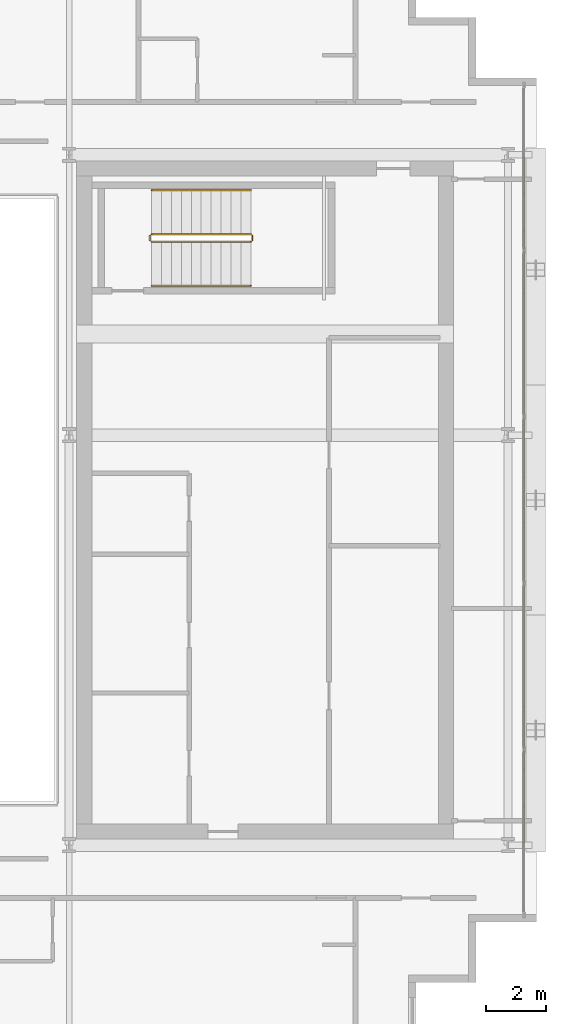
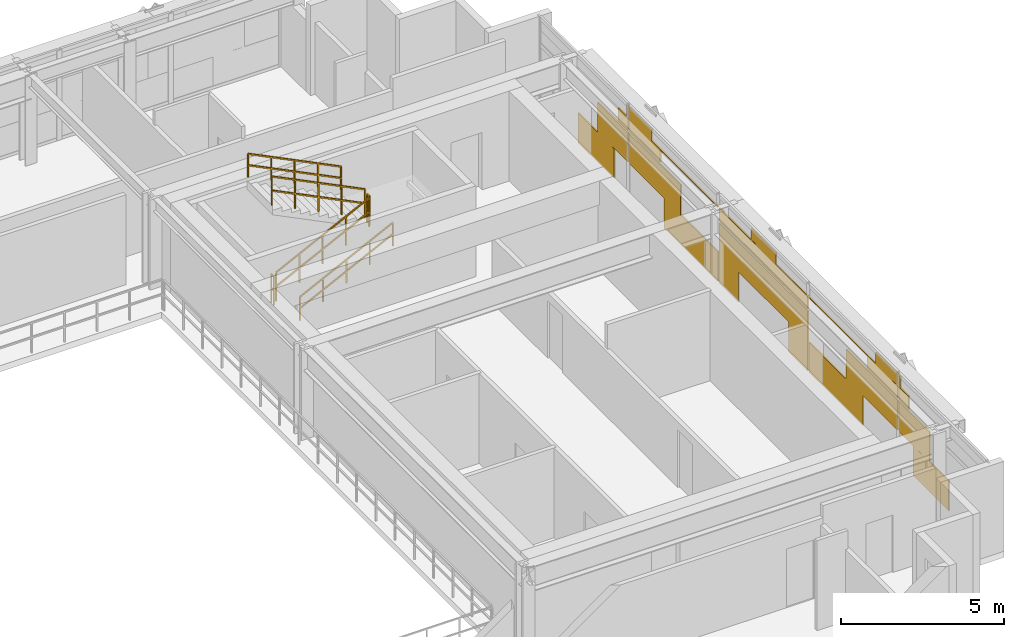
# One storey, part 29 of 30: 6 railings, 1 covering.
"""IFC4 building model written with IfcOpenShell, lengths in metres."""

from ifc_helpers import new_model, si_unit, direction, frame, origin, origin_2d, place, context, subcontext, project, spatial, rectangle, extrude, material, layer, layer_set, type_object, element, save


model = new_model("IFC4")

# Units and contexts
model_context = context("Model", 3, precision=1e-05, world=origin(), true_north=direction((0.0, 1.0)))
body_context = subcontext(model_context, "Body", "Model", "MODEL_VIEW")
ifc_project = project(units=[si_unit("LENGTHUNIT", "METRE"), si_unit("AREAUNIT", "SQUARE_METRE"), si_unit("VOLUMEUNIT", "CUBIC_METRE"), si_unit("PLANEANGLEUNIT", "RADIAN"), si_unit("MASSUNIT", "GRAM", prefix="KILO")], contexts=[model_context])

# Site, building, storey
site_placement = place(None, origin())
site = spatial("IfcSite", under=ifc_project, at=site_placement, CompositionType="ELEMENT")
building_placement = place(site_placement, origin())
building = spatial("IfcBuilding", under=site, at=building_placement, Name="Ocotamira Hotel", CompositionType="ELEMENT")
storey_placement = place(building_placement, frame((0.0, 0.0, 195.60009765625)))
storey = spatial("IfcBuildingStorey", under=building, at=storey_placement, Name="L49", CompositionType="ELEMENT", Elevation=195.60009765625)

# Covering
ifc_material_1 = material(Name="Insulated pale-metal aluminium spandrel panel", Category="aluminium")
ifc_layer = layer(ifc_material_1, 0.044921875)
ifc_layer_set = layer_set([ifc_layer], Name="Insulated pale-metal aluminium spandrel panel")
covering_type = type_object("IfcCoveringType", Name="COV-INFILL-45", PredefinedType="CLADDING", material=ifc_layer_set)
covering_placement = place(storey_placement, origin())
element("IfcCovering", 1, at=covering_placement, inside=storey, type_object=covering_type, Name="L49 Curtain Wall Infill CW-4 CW-L49-E", PredefinedType="CLADDING", context=body_context, shape_type="SweptSolid", body=[
    extrude(rectangle(XDim=2.205078125, YDim=0.044921875, at=origin_2d()), frame((55.580078125, 15.7314453125, 0.075439453125), z_axis=(0.0, 0.0, 1.0), x_axis=(0.0, 1.0, 0.0)), (0.0, 0.0, 1.0), 1.11767578125),
    extrude(rectangle(XDim=1.864501953125, YDim=0.044921875, at=origin_2d()), frame((55.580078125, 16.747314453125, 1.19384765625), z_axis=(0.0, 0.0, 1.0), x_axis=(0.0, 1.0, 0.0)), (0.0, 0.0, 1.0), 1.117919921875),
    extrude(rectangle(XDim=0.59912109375, YDim=0.044921875, at=origin_2d()), frame((55.580078125, 17.3798828125, 2.38818359375), z_axis=(0.0, 0.0, 1.0), x_axis=(0.0, 1.0, 0.0)), (0.0, 0.0, 1.0), 0.493896484375),
    extrude(rectangle(XDim=0.07421875, YDim=0.044921875, at=origin_2d()), frame((55.580078125, 17.642333984375, 2.8828125), z_axis=(0.0, 0.0, 1.0), x_axis=(0.0, 1.0, 0.0)), (0.0, 0.0, 1.0), 0.41162109375),
    extrude(rectangle(XDim=3.157958984375, YDim=0.044921875, at=origin_2d()), frame((55.580078125, 19.33935546875, 1.19384765625), z_axis=(0.0, 0.0, 1.0), x_axis=(0.0, 1.0, 0.0)), (0.0, 0.0, 1.0), 1.117919921875),
    extrude(rectangle(XDim=3.30029296875, YDim=0.044921875, at=origin_2d()), frame((55.580078125, 21.54931640625, 0.075439453125), z_axis=(0.0, 0.0, 1.0), x_axis=(0.0, 1.0, 0.0)), (0.0, 0.0, 1.0), 1.11767578125),
    extrude(rectangle(XDim=1.892333984375, YDim=0.044921875, at=origin_2d()), frame((55.580078125, 18.70654296875, 2.38818359375), z_axis=(0.0, 0.0, 1.0), x_axis=(0.0, 1.0, 0.0)), (0.0, 0.0, 1.0), 0.459716796875),
    extrude(rectangle(XDim=5.43896484375, YDim=0.044921875, at=origin_2d()), frame((55.580078125, 20.47998046875, 2.8486328125), z_axis=(0.0, 0.0, 1.0), x_axis=(0.0, 1.0, 0.0)), (0.0, 0.0, 1.0), 0.033203125),
    extrude(rectangle(XDim=1.367431640625, YDim=0.044921875, at=origin_2d()), frame((55.580078125, 18.444091796875, 2.8828125), z_axis=(0.0, 0.0, 1.0), x_axis=(0.0, 1.0, 0.0)), (0.0, 0.0, 1.0), 0.41162109375),
    extrude(rectangle(XDim=1.18701171875, YDim=0.044921875, at=origin_2d()), frame((55.580078125, 23.873779296875, 0.075439453125), z_axis=(0.0, 0.0, 1.0), x_axis=(0.0, 1.0, 0.0)), (0.0, 0.0, 1.0), 1.11767578125),
    extrude(rectangle(XDim=5.43896484375, YDim=0.044921875, at=origin_2d()), frame((55.580078125, 26.0, 1.19384765625), z_axis=(0.0, 0.0, 1.0), x_axis=(0.0, 1.0, 0.0)), (0.0, 0.0, 1.0), 1.117919921875),
    extrude(rectangle(XDim=1.18701171875, YDim=0.044921875, at=origin_2d()), frame((55.580078125, 28.126220703125, 0.075439453125), z_axis=(0.0, 0.0, 1.0), x_axis=(0.0, 1.0, 0.0)), (0.0, 0.0, 1.0), 1.11767578125),
    extrude(rectangle(XDim=5.43896484375, YDim=0.044921875, at=origin_2d()), frame((55.580078125, 26.0, 2.38818359375), z_axis=(0.0, 0.0, 1.0), x_axis=(0.0, 1.0, 0.0)), (0.0, 0.0, 1.0), 0.493896484375),
    extrude(rectangle(XDim=1.522705078125, YDim=0.044921875, at=origin_2d()), frame((55.580078125, 26.0, 2.8828125), z_axis=(0.0, 0.0, 1.0), x_axis=(0.0, 1.0, 0.0)), (0.0, 0.0, 1.0), 0.41162109375),
    extrude(rectangle(XDim=3.30029296875, YDim=0.044921875, at=origin_2d()), frame((55.580078125, 30.45068359375, 0.075439453125), z_axis=(0.0, 0.0, 1.0), x_axis=(0.0, 1.0, 0.0)), (0.0, 0.0, 1.0), 1.11767578125),
    extrude(rectangle(XDim=3.157958984375, YDim=0.044921875, at=origin_2d()), frame((55.580078125, 32.66064453125, 1.19384765625), z_axis=(0.0, 0.0, 1.0), x_axis=(0.0, 1.0, 0.0)), (0.0, 0.0, 1.0), 1.117919921875),
    extrude(rectangle(XDim=5.43896484375, YDim=0.044921875, at=origin_2d()), frame((55.580078125, 31.52001953125, 2.8486328125), z_axis=(0.0, 0.0, 1.0), x_axis=(0.0, 1.0, 0.0)), (0.0, 0.0, 1.0), 0.033203125),
    extrude(rectangle(XDim=1.892333984375, YDim=0.044921875, at=origin_2d()), frame((55.580078125, 33.29345703125, 2.38818359375), z_axis=(0.0, 0.0, 1.0), x_axis=(0.0, 1.0, 0.0)), (0.0, 0.0, 1.0), 0.459716796875),
    extrude(rectangle(XDim=1.367431640625, YDim=0.044921875, at=origin_2d()), frame((55.580078125, 33.555908203125, 2.8828125), z_axis=(0.0, 0.0, 1.0), x_axis=(0.0, 1.0, 0.0)), (0.0, 0.0, 1.0), 0.41162109375),
    extrude(rectangle(XDim=1.864501953125, YDim=0.044921875, at=origin_2d()), frame((55.580078125, 35.252685546875, 1.19384765625), z_axis=(0.0, 0.0, 1.0), x_axis=(0.0, 1.0, 0.0)), (0.0, 0.0, 1.0), 1.117919921875),
    extrude(rectangle(XDim=2.205078125, YDim=0.044921875, at=origin_2d()), frame((55.580078125, 36.2685546875, 0.075439453125), z_axis=(0.0, 0.0, 1.0), x_axis=(0.0, 1.0, 0.0)), (0.0, 0.0, 1.0), 1.11767578125),
    extrude(rectangle(XDim=0.59912109375, YDim=0.044921875, at=origin_2d()), frame((55.580078125, 34.6201171875, 2.38818359375), z_axis=(0.0, 0.0, 1.0), x_axis=(0.0, 1.0, 0.0)), (0.0, 0.0, 1.0), 0.493896484375),
    extrude(rectangle(XDim=0.07421875, YDim=0.044921875, at=origin_2d()), frame((55.580078125, 34.357666015625, 2.8828125), z_axis=(0.0, 0.0, 1.0), x_axis=(0.0, 1.0, 0.0)), (0.0, 0.0, 1.0), 0.41162109375),
])

# Railings
ifc_material_2 = material(Name="Brushed stainless steel handrail", Category="steel")
railing_type_1 = type_object("IfcRailingType", Name="RL-HAND-900", PredefinedType="HANDRAIL", material=ifc_material_2)
railing_1_placement = place(storey_placement, frame((43.22998046875, 33.10009765625, 0.3271484375)))
element("IfcRailing", 2, at=railing_1_placement, inside=storey, type_object=railing_type_1, Name="L49 ST-4 stair handrail 1", PredefinedType="HANDRAIL", context=body_context, shape_type="SweptSolid", body=[
    extrude(rectangle(XDim=0.048095703125, YDim=0.048095703125, at=origin_2d()), frame((0.0, 0.0, 0.8759765625), z_axis=(0.895893744519, 0.0, 0.4442683857), x_axis=(0.0, 1.0, 0.0)), (0.0, 0.0, 1.0), 3.68359375),
    extrude(rectangle(XDim=0.048095703125, YDim=0.048095703125, at=origin_2d()), frame((0.0, 0.0, 0.449951171875), z_axis=(0.895893744519, 0.0, 0.4442683857), x_axis=(0.0, 1.0, 0.0)), (0.0, 0.0, 1.0), 3.68359375),
    extrude(rectangle(XDim=0.0419921875, YDim=0.0419921875, at=origin_2d()), origin(), (0.0, 0.0, 1.0), 0.851806640625),
    extrude(rectangle(XDim=0.0419921875, YDim=0.0419921875, at=origin_2d()), frame((0.824951171875, 0.0, 0.4091796875)), (0.0, 0.0, 1.0), 0.851806640625),
    extrude(rectangle(XDim=0.0419921875, YDim=0.0419921875, at=origin_2d()), frame((1.64990234375, 0.0, 0.818359375)), (0.0, 0.0, 1.0), 0.851806640625),
    extrude(rectangle(XDim=0.0419921875, YDim=0.0419921875, at=origin_2d()), frame((2.47509765625, 0.0, 1.227294921875)), (0.0, 0.0, 1.0), 0.851806640625),
    extrude(rectangle(XDim=0.0419921875, YDim=0.0419921875, at=origin_2d()), frame((3.300048828125, 0.0, 1.636474609375)), (0.0, 0.0, 1.0), 0.851806640625),
])
railing_2_placement = place(storey_placement, frame((46.530029296875, 36.280029296875, 2.127197265625)))
element("IfcRailing", 3, at=railing_2_placement, inside=storey, type_object=railing_type_1, Name="L49 ST-4 stair handrail 2", PredefinedType="HANDRAIL", context=body_context, shape_type="SweptSolid", body=[
    extrude(rectangle(XDim=0.048095703125, YDim=0.048095703125, at=origin_2d()), frame((0.0, 0.0, 0.8759765625), z_axis=(-0.895920123917, 0.0, 0.444215186098), x_axis=(0.0, -1.0, 0.0)), (0.0, 0.0, 1.0), 3.683349609375),
    extrude(rectangle(XDim=0.048095703125, YDim=0.048095703125, at=origin_2d()), frame((0.0, 0.0, 0.449951171875), z_axis=(-0.895920123917, 0.0, 0.444215186098), x_axis=(0.0, -1.0, 0.0)), (0.0, 0.0, 1.0), 3.683349609375),
    extrude(rectangle(XDim=0.0419921875, YDim=0.0419921875, at=origin_2d()), origin(), (0.0, 0.0, 1.0), 0.851806640625),
    extrude(rectangle(XDim=0.0419921875, YDim=0.0419921875, at=origin_2d()), frame((-0.824951171875, 0.0, 0.4091796875)), (0.0, 0.0, 1.0), 0.851806640625),
    extrude(rectangle(XDim=0.0419921875, YDim=0.0419921875, at=origin_2d()), frame((-1.64990234375, 0.0, 0.818115234375)), (0.0, 0.0, 1.0), 0.851806640625),
    extrude(rectangle(XDim=0.0419921875, YDim=0.0419921875, at=origin_2d()), frame((-2.47509765625, 0.0, 1.22705078125)), (0.0, 0.0, 1.0), 0.851806640625),
    extrude(rectangle(XDim=0.0419921875, YDim=0.0419921875, at=origin_2d()), frame((-3.300048828125, 0.0, 1.63623046875)), (0.0, 0.0, 1.0), 0.851806640625),
])
ifc_material_3 = material(Name="Painted steel stair guardrail", Category="steel")
railing_type_2 = type_object("IfcRailingType", Name="RL-STAIR-1100", PredefinedType="GUARDRAIL", material=ifc_material_3)
railing_3_placement = place(storey_placement, frame((43.22998046875, 34.56005859375, 0.16357421875)))
element("IfcRailing", 4, at=railing_3_placement, inside=storey, type_object=railing_type_2, Name="L49 ST-4 stair guard 1", PredefinedType="GUARDRAIL", context=body_context, shape_type="SweptSolid", body=[
    extrude(rectangle(XDim=0.048095703125, YDim=0.048095703125, at=origin_2d()), frame((0.0, 0.0, 1.076171875), z_axis=(0.895920123917, 0.0, 0.444215186098), x_axis=(0.0, 1.0, 0.0)), (0.0, 0.0, 1.0), 3.683349609375),
    extrude(rectangle(XDim=0.048095703125, YDim=0.048095703125, at=origin_2d()), frame((0.0, 0.0, 0.550048828125), z_axis=(0.895920123917, 0.0, 0.444215186098), x_axis=(0.0, 1.0, 0.0)), (0.0, 0.0, 1.0), 3.683349609375),
    extrude(rectangle(XDim=0.0419921875, YDim=0.0419921875, at=origin_2d()), origin(), (0.0, 0.0, 1.0), 1.052001953125),
    extrude(rectangle(XDim=0.0419921875, YDim=0.0419921875, at=origin_2d()), frame((0.824951171875, 0.0, 0.4091796875)), (0.0, 0.0, 1.0), 1.052001953125),
    extrude(rectangle(XDim=0.0419921875, YDim=0.0419921875, at=origin_2d()), frame((1.64990234375, 0.0, 0.818115234375)), (0.0, 0.0, 1.0), 1.052001953125),
    extrude(rectangle(XDim=0.0419921875, YDim=0.0419921875, at=origin_2d()), frame((2.47509765625, 0.0, 1.22705078125)), (0.0, 0.0, 1.0), 1.052001953125),
    extrude(rectangle(XDim=0.0419921875, YDim=0.0419921875, at=origin_2d()), frame((3.300048828125, 0.0, 1.63623046875)), (0.0, 0.0, 1.0), 1.052001953125),
])
railing_4_placement = place(storey_placement, frame((46.580078125, 34.610107421875, 1.7998046875)))
element("IfcRailing", 5, at=railing_4_placement, inside=storey, type_object=railing_type_2, Name="L49 ST-4 stair guard 2", PredefinedType="GUARDRAIL", context=body_context, shape_type="SweptSolid", body=[
    extrude(rectangle(XDim=0.048095703125, YDim=0.048095703125, at=origin_2d()), frame((0.0, 0.0, 1.076171875), z_axis=(0.0, 1.0, 0.0), x_axis=(-1.0, 0.0, 0.0)), (0.0, 0.0, 1.0), 0.159912109375),
    extrude(rectangle(XDim=0.048095703125, YDim=0.048095703125, at=origin_2d()), frame((0.0, 0.0, 0.550048828125), z_axis=(0.0, 1.0, 0.0), x_axis=(-1.0, 0.0, 0.0)), (0.0, 0.0, 1.0), 0.159912109375),
    extrude(rectangle(XDim=0.0419921875, YDim=0.0419921875, at=origin_2d()), origin(), (0.0, 0.0, 1.0), 1.052001953125),
    extrude(rectangle(XDim=0.0419921875, YDim=0.0419921875, at=origin_2d()), frame((0.0, 0.159912109375, 0.0)), (0.0, 0.0, 1.0), 1.052001953125),
])
railing_5_placement = place(storey_placement, frame((46.530029296875, 34.820068359375, 1.963623046875)))
element("IfcRailing", 6, at=railing_5_placement, inside=storey, type_object=railing_type_2, Name="L49 ST-4 stair guard 3", PredefinedType="GUARDRAIL", context=body_context, shape_type="SweptSolid", body=[
    extrude(rectangle(XDim=0.048095703125, YDim=0.048095703125, at=origin_2d()), frame((0.0, 0.0, 1.076171875), z_axis=(-0.895920123917, 0.0, 0.444215186098), x_axis=(0.0, -1.0, 0.0)), (0.0, 0.0, 1.0), 3.683349609375),
    extrude(rectangle(XDim=0.048095703125, YDim=0.048095703125, at=origin_2d()), frame((0.0, 0.0, 0.550048828125), z_axis=(-0.895920123917, 0.0, 0.444215186098), x_axis=(0.0, -1.0, 0.0)), (0.0, 0.0, 1.0), 3.683349609375),
    extrude(rectangle(XDim=0.0419921875, YDim=0.0419921875, at=origin_2d()), origin(), (0.0, 0.0, 1.0), 1.052001953125),
    extrude(rectangle(XDim=0.0419921875, YDim=0.0419921875, at=origin_2d()), frame((-0.824951171875, 0.0, 0.4091796875)), (0.0, 0.0, 1.0), 1.052001953125),
    extrude(rectangle(XDim=0.0419921875, YDim=0.0419921875, at=origin_2d()), frame((-1.64990234375, 0.0, 0.818115234375)), (0.0, 0.0, 1.0), 1.052001953125),
    extrude(rectangle(XDim=0.0419921875, YDim=0.0419921875, at=origin_2d()), frame((-2.47509765625, 0.0, 1.22705078125)), (0.0, 0.0, 1.0), 1.052001953125),
    extrude(rectangle(XDim=0.0419921875, YDim=0.0419921875, at=origin_2d()), frame((-3.300048828125, 0.0, 1.63623046875)), (0.0, 0.0, 1.0), 1.052001953125),
])
railing_6_placement = place(storey_placement, frame((43.179931640625, 34.610107421875, 0.0)))
element("IfcRailing", 7, at=railing_6_placement, inside=storey, type_object=railing_type_2, Name="L49 ST-4 stair guard 4", PredefinedType="GUARDRAIL", context=body_context, shape_type="SweptSolid", body=[
    extrude(rectangle(XDim=0.048095703125, YDim=0.048095703125, at=origin_2d()), frame((0.0, 0.0, 1.076171875), z_axis=(0.0, 1.0, 0.0), x_axis=(-1.0, 0.0, 0.0)), (0.0, 0.0, 1.0), 0.159912109375),
    extrude(rectangle(XDim=0.048095703125, YDim=0.048095703125, at=origin_2d()), frame((0.0, 0.0, 0.550048828125), z_axis=(0.0, 1.0, 0.0), x_axis=(-1.0, 0.0, 0.0)), (0.0, 0.0, 1.0), 0.159912109375),
    extrude(rectangle(XDim=0.0419921875, YDim=0.0419921875, at=origin_2d()), origin(), (0.0, 0.0, 1.0), 1.052001953125),
    extrude(rectangle(XDim=0.0419921875, YDim=0.0419921875, at=origin_2d()), frame((0.0, 0.159912109375, 0.0)), (0.0, 0.0, 1.0), 1.052001953125),
])

save(model, "model.ifc")
